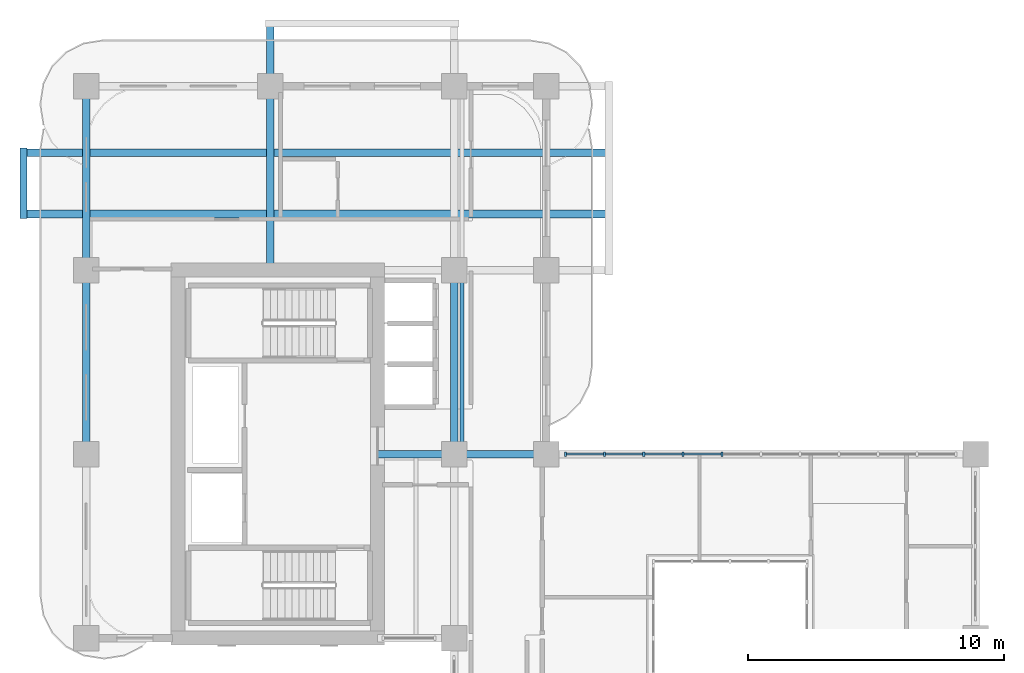
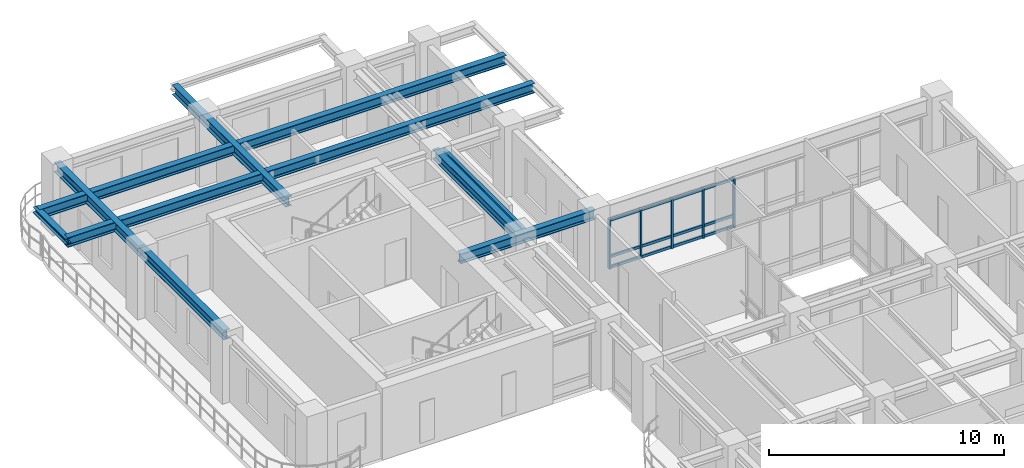
# One storey, part 5 of 21: 17 members, 9 beams, 1 element without a shape of its own.
"""IFC4 building model written with IfcOpenShell, lengths in metres."""

from ifc_helpers import new_model, si_unit, derived_unit, direction, frame, origin, origin_2d, place, context, subcontext, project, spatial, rectangle, i_section, extrude, source, transform, mapped, material, layer, layer_set, material_profile, profile_set, type_object, type_shapes, element, aggregate, save


model = new_model("IFC4")

# Units and contexts
model_context = context("Model", 3, precision=1e-05, world=origin(), true_north=direction((0.0, 1.0)))
body_context = subcontext(model_context, "Body", "Model", "MODEL_VIEW")
ifc_project = project(units=[si_unit("LENGTHUNIT", "METRE"), si_unit("AREAUNIT", "SQUARE_METRE"), si_unit("VOLUMEUNIT", "CUBIC_METRE"), si_unit("PLANEANGLEUNIT", "RADIAN"), si_unit("MASSUNIT", "GRAM", prefix="KILO"), si_unit("THERMODYNAMICTEMPERATUREUNIT", "KELVIN"), si_unit("POWERUNIT", "WATT"), derived_unit("THERMALTRANSMITTANCEUNIT", [(si_unit("POWERUNIT", "WATT"), 1), (si_unit("AREAUNIT", "SQUARE_METRE"), -1), (si_unit("THERMODYNAMICTEMPERATUREUNIT", "KELVIN"), -1)])], contexts=[model_context])

# Site, building, storey
site_placement = place(None, origin())
site = spatial("IfcSite", under=ifc_project, at=site_placement, CompositionType="ELEMENT")
building_placement = place(site_placement, origin())
building = spatial("IfcBuilding", under=site, at=building_placement, Name="Zahravan Archway Hotel and Residences", CompositionType="ELEMENT")
storey_placement = place(building_placement, frame((0.0, 0.0, 141.39990234375)))
storey = spatial("IfcBuildingStorey", under=building, at=storey_placement, Name="L35", CompositionType="ELEMENT", Elevation=141.39990234375)

# Beams
ifc_material_1 = material(Name="Structural Steel S355JR", Category="steel")
ifc_material_profile_1 = material_profile(ifc_material_1, i_section(OverallWidth=0.280029296875, OverallDepth=0.280029296875, WebThickness=0.010498046875, FlangeThickness=0.01806640625, FilletRadius=0.02392578125, at=origin_2d()), Name="HEB 280", Category="steel")
ifc_profile_set_1 = profile_set([ifc_material_profile_1], Name="Structural Steel S355JR")
beam_type_1 = type_object("IfcBeamType", Name="BM-SPN-HEB280", PredefinedType="SPANDREL", material=ifc_profile_set_1)
shared_shape_1 = source(origin(), body_context, "Body", "SweptSolid", [
    extrude(i_section(OverallWidth=0.280029296875, OverallDepth=0.280029296875, WebThickness=0.010498046875, FlangeThickness=0.01806640625, FilletRadius=0.02392578125, at=origin_2d()), origin(), (0.0, 0.0, 1.0), 2.759765625),
])
beam_1_placement = place(storey_placement, frame((-2.449951171875, 41.6201171875, 3.260009765625), z_axis=(0.0, 1.0, 0.0), x_axis=(-1.0, 0.0, 0.0)))
element("IfcBeam", 1, at=beam_1_placement, inside=storey, type_object=beam_type_1, Name="L36 WB Balcony Edge Spandrel", PredefinedType="SPANDREL", context=body_context, shape_type="MappedRepresentation", body=[
    mapped(shared_shape_1, transform((0.0, 0.0, 0.0), scale=1.0)),
])
ifc_material_profile_2 = material_profile(ifc_material_1, i_section(OverallWidth=0.300048828125, OverallDepth=0.5, WebThickness=0.014404296875, FlangeThickness=0.028076171875, FilletRadius=0.027099609375, at=origin_2d()), Name="HEB 500", Category="steel")
ifc_profile_set_2 = profile_set([ifc_material_profile_2], Name="Structural Steel S355JR")
beam_type_2 = type_object("IfcBeamType", Name="BM-PRI-HEB500", PredefinedType="BEAM", material=ifc_profile_set_2)
shared_shape_2 = source(origin(), body_context, "Body", "SweptSolid", [
    extrude(i_section(OverallWidth=0.300048828125, OverallDepth=0.5, WebThickness=0.014404296875, FlangeThickness=0.028076171875, FilletRadius=0.027099609375, at=origin_2d()), origin(), (0.0, 0.0, 1.0), 7.2001953125),
])
type_shapes(beam_type_2, [shared_shape_2])
for number, where, z_axis, x_axis, name in (
    (2, (0.0, 32.39990234375, 3.150146484375), (0.0, 1.0, 0.0), (-1.0, 0.0, 0.0), "L35 Primary Girder NS-25"),
    (3, (14.39990234375, 32.39990234375, 3.150146484375), (0.0, 1.0, 0.0), (-1.0, 0.0, 0.0), "L35 Primary Girder NS-33"),
):
    element("IfcBeam", number, at=place(storey_placement, frame(where, z_axis=z_axis, x_axis=x_axis)), inside=storey, type_object=beam_type_2, Name=name, PredefinedType="BEAM", context=body_context, shape_type="MappedRepresentation", body=[
        mapped(shared_shape_2, transform((0.0, 0.0, 0.0), scale=1.0)),
    ])
shared_shape_3 = source(origin(), body_context, "Body", "SweptSolid", [
    extrude(i_section(OverallWidth=0.300048828125, OverallDepth=0.5, WebThickness=0.014404296875, FlangeThickness=0.028076171875, FilletRadius=0.027099609375, at=origin_2d()), origin(), (0.0, 0.0, 1.0), 7.199951171875),
])
beam_2_placement = place(storey_placement, frame((0.0, 39.60009765625, 3.150146484375), z_axis=(0.0, 1.0, 0.0), x_axis=(-1.0, 0.0, 0.0)))
element("IfcBeam", 4, at=beam_2_placement, inside=storey, type_object=beam_type_2, Name="L35 Primary Girder NS-26", PredefinedType="BEAM", context=body_context, shape_type="MappedRepresentation", body=[
    mapped(shared_shape_3, transform((0.0, 0.0, 0.0), scale=1.0)),
])
shared_shape_4 = source(origin(), body_context, "Body", "SweptSolid", [
    extrude(i_section(OverallWidth=0.300048828125, OverallDepth=0.5, WebThickness=0.014404296875, FlangeThickness=0.028076171875, FilletRadius=0.027099609375, at=origin_2d()), origin(), (0.0, 0.0, 1.0), 6.60009765625),
])
beam_3_placement = place(storey_placement, frame((11.39990234375, 32.39990234375, 3.150146484375), z_axis=(1.0, 0.0, 0.0), x_axis=(0.0, 1.0, 0.0)))
element("IfcBeam", 5, at=beam_3_placement, inside=storey, type_object=beam_type_2, Name="L35 Primary Girder EW-17", PredefinedType="BEAM", context=body_context, shape_type="MappedRepresentation", body=[
    mapped(shared_shape_4, transform((0.0, 0.0, 0.0), scale=1.0)),
])
shared_shape_5 = source(origin(), body_context, "Body", "SweptSolid", [
    extrude(i_section(OverallWidth=0.300048828125, OverallDepth=0.5, WebThickness=0.014404296875, FlangeThickness=0.028076171875, FilletRadius=0.027099609375, at=origin_2d()), origin(), (0.0, 0.0, 1.0), 22.89990234375),
])
for number, where, z_axis, x_axis, name in (
    (6, (-2.449951171875, 41.800048828125, 3.150146484375), (1.0, 0.0, 0.0), (0.0, 1.0, 0.0), "L35 Primary Girder EW-22"),
    (7, (-2.449951171875, 44.199951171875, 3.150146484375), (1.0, 0.0, 0.0), (0.0, 1.0, 0.0), "L35 Primary Girder EW-23"),
):
    element("IfcBeam", number, at=place(storey_placement, frame(where, z_axis=z_axis, x_axis=x_axis)), inside=storey, type_object=beam_type_2, Name=name, PredefinedType="BEAM", context=body_context, shape_type="MappedRepresentation", body=[
        mapped(shared_shape_5, transform((0.0, 0.0, 0.0), scale=1.0)),
    ])
shared_shape_6 = source(origin(), body_context, "Body", "SweptSolid", [
    extrude(i_section(OverallWidth=0.300048828125, OverallDepth=0.5, WebThickness=0.014404296875, FlangeThickness=0.028076171875, FilletRadius=0.027099609375, at=origin_2d()), origin(), (0.0, 0.0, 1.0), 9.64990234375),
])
beam_4_placement = place(storey_placement, frame((7.199951171875, 39.60009765625, 3.150146484375), z_axis=(0.0, 1.0, 0.0), x_axis=(-1.0, 0.0, 0.0)))
element("IfcBeam", 8, at=beam_4_placement, inside=storey, type_object=beam_type_2, Name="L35 Primary Girder NS-27", PredefinedType="BEAM", context=body_context, shape_type="MappedRepresentation", body=[
    mapped(shared_shape_6, transform((0.0, 0.0, 0.0), scale=1.0)),
])
ifc_material_profile_3 = material_profile(ifc_material_1, i_section(OverallWidth=0.159912109375, OverallDepth=0.330078125, WebThickness=0.007568359375, FlangeThickness=0.011474609375, FilletRadius=0.01806640625, at=origin_2d()), Name="IPE 330", Category="steel")
ifc_profile_set_3 = profile_set([ifc_material_profile_3], Name="Structural Steel S355JR")
beam_type_3 = type_object("IfcBeamType", Name="BM-JST-IPE330", PredefinedType="JOIST", material=ifc_profile_set_3)
shared_shape_7 = source(origin(), body_context, "Body", "SweptSolid", [
    extrude(i_section(OverallWidth=0.159912109375, OverallDepth=0.330078125, WebThickness=0.007568359375, FlangeThickness=0.011474609375, FilletRadius=0.01806640625, at=origin_2d()), origin(), (0.0, 0.0, 1.0), 6.90380859375),
])
beam_5_placement = place(storey_placement, frame((14.699951171875, 32.548095703125, 3.235107421875), z_axis=(0.0, 1.0, 0.0), x_axis=(-1.0, 0.0, 0.0)))
element("IfcBeam", 9, at=beam_5_placement, inside=storey, type_object=beam_type_3, Name="L35 Composite Floor Joist 11", PredefinedType="JOIST", context=body_context, shape_type="MappedRepresentation", body=[
    mapped(shared_shape_7, transform((0.0, 0.0, 0.0), scale=1.0)),
])

# Curtain wall, members
ifc_material_2 = material(Name="Bronze-Anodized Unitised Aluminium & Low-E Glass", Category="aluminium")
ifc_layer = layer(ifc_material_2, 0.179931640625, Name="Bronze-Anodized Unitised Aluminium & Low-E Glass", Category="aluminium")
ifc_layer_set = layer_set([ifc_layer], Name="Bronze-Anodized Unitised Aluminium & Low-E Glass")
curtain_wall_type = type_object("IfcCurtainWallType", Name="CW-ATR-GLAZ", PredefinedType="NOTDEFINED", material=ifc_layer_set)
curtain_wall_placement = place(storey_placement, origin())
curtain_wall = element("IfcCurtainWall", 10, at=curtain_wall_placement, inside=storey, type_object=curtain_wall_type, Name="L35 Curtain Wall CW-L35-HNG-N-1", PredefinedType="NOTDEFINED")
ifc_material_3 = material(Name="Bronze-Anodized Extruded Aluminium", Category="aluminium")
ifc_material_profile_4 = material_profile(ifc_material_3, rectangle(XDim=0.080078125, YDim=0.139892578125, at=origin_2d()), Name="TRN 80x140", Category="aluminium")
ifc_profile_set_4 = profile_set([ifc_material_profile_4], Name="Bronze-Anodized Extruded Aluminium")
member_type_1 = type_object("IfcMemberType", Name="CWM-TRN-140", PredefinedType="USERDEFINED", material=ifc_profile_set_4)
shared_shape_8 = source(origin(), body_context, "Body", "SweptSolid", [
    extrude(rectangle(XDim=0.080078125, YDim=0.139892578125, at=origin_2d()), origin(), (0.0, 0.0, 1.0), 1.447998046875),
])
member_1_placement = place(storey_placement, frame((18.800048828125, 32.39990234375, 0.070068359375), z_axis=(1.0, 0.0, 0.0), x_axis=(0.0, 1.0, 0.0)))
member_1 = element("IfcMember", 11, at=member_1_placement, type_object=member_type_1, Name="CW-L35-HNG-N-1 Transom 0-1", ObjectType="TRANSOM", PredefinedType="USERDEFINED", context=body_context, shape_type="MappedRepresentation", body=[
    mapped(shared_shape_8, transform((0.0, 0.0, 0.0), scale=1.0)),
])
member_2_placement = place(storey_placement, frame((18.800048828125, 32.39990234375, 0.62060546875), z_axis=(1.0, 0.0, 0.0), x_axis=(0.0, 1.0, 0.0)))
member_2 = element("IfcMember", 12, at=member_2_placement, type_object=member_type_1, Name="CW-L35-HNG-N-1 Transom 0-2", ObjectType="TRANSOM", PredefinedType="USERDEFINED", context=body_context, shape_type="MappedRepresentation", body=[
    mapped(shared_shape_8, transform((0.0, 0.0, 0.0), scale=1.0)),
])
member_3_placement = place(storey_placement, frame((18.800048828125, 32.39990234375, 2.51513671875), z_axis=(1.0, 0.0, 0.0), x_axis=(0.0, 1.0, 0.0)))
member_3 = element("IfcMember", 13, at=member_3_placement, type_object=member_type_1, Name="CW-L35-HNG-N-1 Transom 0-3", ObjectType="TRANSOM", PredefinedType="USERDEFINED", context=body_context, shape_type="MappedRepresentation", body=[
    mapped(shared_shape_8, transform((0.0, 0.0, 0.0), scale=1.0)),
])
member_4_placement = place(storey_placement, frame((20.327880859375, 32.39990234375, 0.070068359375), z_axis=(1.0, 0.0, 0.0), x_axis=(0.0, 1.0, 0.0)))
member_4 = element("IfcMember", 14, at=member_4_placement, type_object=member_type_1, Name="CW-L35-HNG-N-1 Transom 1-1", ObjectType="TRANSOM", PredefinedType="USERDEFINED", context=body_context, shape_type="MappedRepresentation", body=[
    mapped(shared_shape_8, transform((0.0, 0.0, 0.0), scale=1.0)),
])
member_5_placement = place(storey_placement, frame((20.327880859375, 32.39990234375, 0.62060546875), z_axis=(1.0, 0.0, 0.0), x_axis=(0.0, 1.0, 0.0)))
member_5 = element("IfcMember", 15, at=member_5_placement, type_object=member_type_1, Name="CW-L35-HNG-N-1 Transom 1-2", ObjectType="TRANSOM", PredefinedType="USERDEFINED", context=body_context, shape_type="MappedRepresentation", body=[
    mapped(shared_shape_8, transform((0.0, 0.0, 0.0), scale=1.0)),
])
member_6_placement = place(storey_placement, frame((20.327880859375, 32.39990234375, 2.51513671875), z_axis=(1.0, 0.0, 0.0), x_axis=(0.0, 1.0, 0.0)))
member_6 = element("IfcMember", 16, at=member_6_placement, type_object=member_type_1, Name="CW-L35-HNG-N-1 Transom 1-3", ObjectType="TRANSOM", PredefinedType="USERDEFINED", context=body_context, shape_type="MappedRepresentation", body=[
    mapped(shared_shape_8, transform((0.0, 0.0, 0.0), scale=1.0)),
])
member_7_placement = place(storey_placement, frame((21.85595703125, 32.39990234375, 0.070068359375), z_axis=(1.0, 0.0, 0.0), x_axis=(0.0, 1.0, 0.0)))
member_7 = element("IfcMember", 17, at=member_7_placement, type_object=member_type_1, Name="CW-L35-HNG-N-1 Transom 2-1", ObjectType="TRANSOM", PredefinedType="USERDEFINED", context=body_context, shape_type="MappedRepresentation", body=[
    mapped(shared_shape_8, transform((0.0, 0.0, 0.0), scale=1.0)),
])
member_8_placement = place(storey_placement, frame((21.85595703125, 32.39990234375, 0.62060546875), z_axis=(1.0, 0.0, 0.0), x_axis=(0.0, 1.0, 0.0)))
member_8 = element("IfcMember", 18, at=member_8_placement, type_object=member_type_1, Name="CW-L35-HNG-N-1 Transom 2-2", ObjectType="TRANSOM", PredefinedType="USERDEFINED", context=body_context, shape_type="MappedRepresentation", body=[
    mapped(shared_shape_8, transform((0.0, 0.0, 0.0), scale=1.0)),
])
member_9_placement = place(storey_placement, frame((21.85595703125, 32.39990234375, 2.51513671875), z_axis=(1.0, 0.0, 0.0), x_axis=(0.0, 1.0, 0.0)))
member_9 = element("IfcMember", 19, at=member_9_placement, type_object=member_type_1, Name="CW-L35-HNG-N-1 Transom 2-3", ObjectType="TRANSOM", PredefinedType="USERDEFINED", context=body_context, shape_type="MappedRepresentation", body=[
    mapped(shared_shape_8, transform((0.0, 0.0, 0.0), scale=1.0)),
])
member_10_placement = place(storey_placement, frame((23.384033203125, 32.39990234375, 0.070068359375), z_axis=(1.0, 0.0, 0.0), x_axis=(0.0, 1.0, 0.0)))
member_10 = element("IfcMember", 20, at=member_10_placement, type_object=member_type_1, Name="CW-L35-HNG-N-1 Transom 3-1", ObjectType="TRANSOM", PredefinedType="USERDEFINED", context=body_context, shape_type="MappedRepresentation", body=[
    mapped(shared_shape_8, transform((0.0, 0.0, 0.0), scale=1.0)),
])
member_11_placement = place(storey_placement, frame((23.384033203125, 32.39990234375, 0.62060546875), z_axis=(1.0, 0.0, 0.0), x_axis=(0.0, 1.0, 0.0)))
member_11 = element("IfcMember", 21, at=member_11_placement, type_object=member_type_1, Name="CW-L35-HNG-N-1 Transom 3-2", ObjectType="TRANSOM", PredefinedType="USERDEFINED", context=body_context, shape_type="MappedRepresentation", body=[
    mapped(shared_shape_8, transform((0.0, 0.0, 0.0), scale=1.0)),
])
member_12_placement = place(storey_placement, frame((23.384033203125, 32.39990234375, 2.51513671875), z_axis=(1.0, 0.0, 0.0), x_axis=(0.0, 1.0, 0.0)))
member_12 = element("IfcMember", 22, at=member_12_placement, type_object=member_type_1, Name="CW-L35-HNG-N-1 Transom 3-3", ObjectType="TRANSOM", PredefinedType="USERDEFINED", context=body_context, shape_type="MappedRepresentation", body=[
    mapped(shared_shape_8, transform((0.0, 0.0, 0.0), scale=1.0)),
])
ifc_material_profile_5 = material_profile(ifc_material_3, rectangle(XDim=0.080078125, YDim=0.159912109375, at=origin_2d()), Name="MUL 80x160", Category="aluminium")
ifc_profile_set_5 = profile_set([ifc_material_profile_5], Name="Bronze-Anodized Extruded Aluminium")
member_type_2 = type_object("IfcMemberType", Name="CWM-MUL-160", PredefinedType="MULLION", material=ifc_profile_set_5)
shared_shape_9 = source(origin(), body_context, "Body", "SweptSolid", [
    extrude(rectangle(XDim=0.080078125, YDim=0.159912109375, at=origin_2d()), origin(), (0.0, 0.0, 1.0), 2.585205078125),
])
member_13_placement = place(storey_placement, frame((18.760009765625, 32.39990234375, 0.0), z_axis=(0.0, 0.0, 1.0), x_axis=(1.0, 0.0, 0.0)))
member_13 = element("IfcMember", 23, at=member_13_placement, type_object=member_type_2, Name="CW-L35-HNG-N-1 Mullion 0", PredefinedType="MULLION", context=body_context, shape_type="MappedRepresentation", body=[
    mapped(shared_shape_9, transform((0.0, 0.0, 0.0), scale=1.0)),
])
member_14_placement = place(storey_placement, frame((20.2880859375, 32.39990234375, 0.0), z_axis=(0.0, 0.0, 1.0), x_axis=(1.0, 0.0, 0.0)))
member_14 = element("IfcMember", 24, at=member_14_placement, type_object=member_type_2, Name="CW-L35-HNG-N-1 Mullion 1", PredefinedType="MULLION", context=body_context, shape_type="MappedRepresentation", body=[
    mapped(shared_shape_9, transform((0.0, 0.0, 0.0), scale=1.0)),
])
member_15_placement = place(storey_placement, frame((21.81591796875, 32.39990234375, 0.0), z_axis=(0.0, 0.0, 1.0), x_axis=(1.0, 0.0, 0.0)))
member_15 = element("IfcMember", 25, at=member_15_placement, type_object=member_type_2, Name="CW-L35-HNG-N-1 Mullion 2", PredefinedType="MULLION", context=body_context, shape_type="MappedRepresentation", body=[
    mapped(shared_shape_9, transform((0.0, 0.0, 0.0), scale=1.0)),
])
member_16_placement = place(storey_placement, frame((23.343994140625, 32.39990234375, 0.0), z_axis=(0.0, 0.0, 1.0), x_axis=(1.0, 0.0, 0.0)))
member_16 = element("IfcMember", 26, at=member_16_placement, type_object=member_type_2, Name="CW-L35-HNG-N-1 Mullion 3", PredefinedType="MULLION", context=body_context, shape_type="MappedRepresentation", body=[
    mapped(shared_shape_9, transform((0.0, 0.0, 0.0), scale=1.0)),
])
member_17_placement = place(storey_placement, frame((24.8720703125, 32.39990234375, 0.0), z_axis=(0.0, 0.0, 1.0), x_axis=(1.0, 0.0, 0.0)))
member_17 = element("IfcMember", 27, at=member_17_placement, type_object=member_type_2, Name="CW-L35-HNG-N-1 Mullion 4", PredefinedType="MULLION", context=body_context, shape_type="MappedRepresentation", body=[
    mapped(shared_shape_9, transform((0.0, 0.0, 0.0), scale=1.0)),
])
aggregate(curtain_wall, [member_13, member_14, member_15, member_16, member_17, member_1, member_2, member_3, member_4, member_5, member_6, member_7, member_8, member_9, member_10, member_11, member_12])

save(model, "model.ifc")
